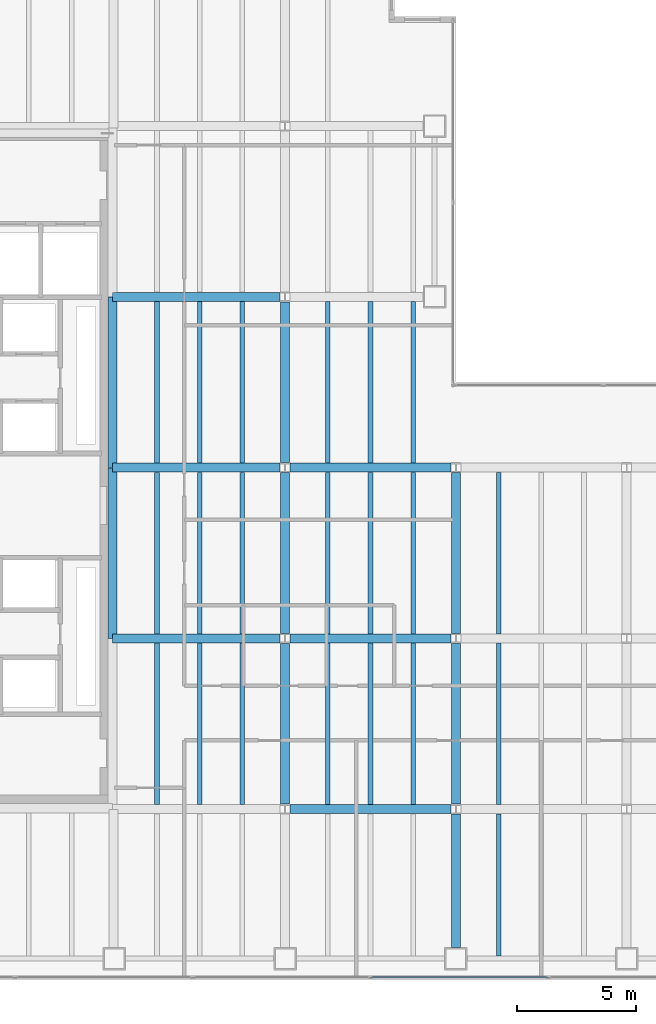
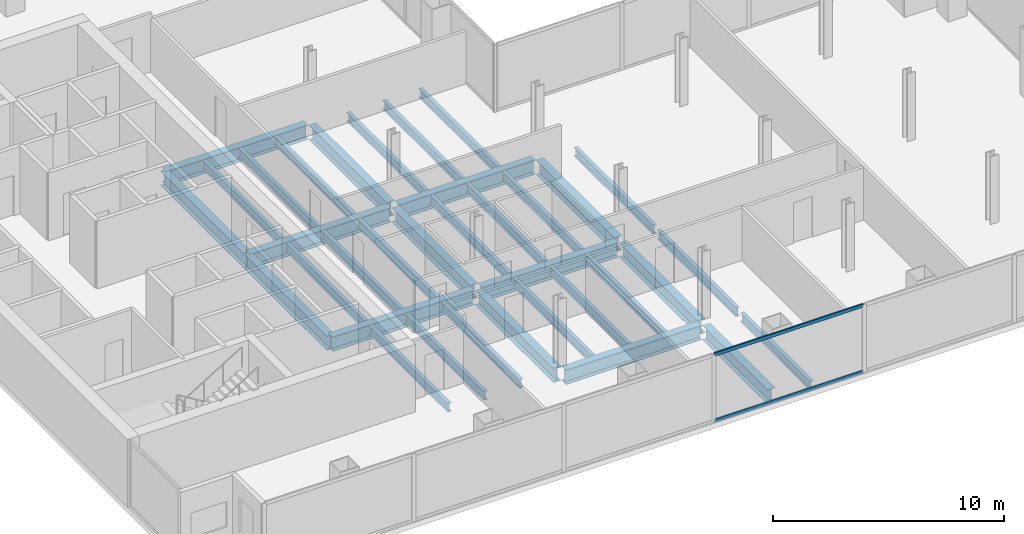
# One storey, part 5 of 23: 35 beams, 2 members, 1 element without a shape of its own.
"""IFC4 building model written with IfcOpenShell, lengths in metres."""

from ifc_helpers import new_model, si_unit, direction, frame, origin, origin_2d, place, context, subcontext, project, spatial, hollow_rectangle, i_section, extrude, material, material_profile, profile_set, type_object, element, aggregate, save


model = new_model("IFC4")

# Units and contexts
model_context = context("Model", 3, precision=1e-05, world=origin(), true_north=direction((0.0, 1.0)))
body_context = subcontext(model_context, "Body", "Model", "MODEL_VIEW")
ifc_project = project(units=[si_unit("LENGTHUNIT", "METRE"), si_unit("AREAUNIT", "SQUARE_METRE"), si_unit("VOLUMEUNIT", "CUBIC_METRE"), si_unit("PLANEANGLEUNIT", "RADIAN"), si_unit("MASSUNIT", "GRAM", prefix="KILO")], contexts=[model_context])

# Site, building, storey
site_placement = place(None, origin())
site = spatial("IfcSite", under=ifc_project, at=site_placement, CompositionType="ELEMENT")
building_placement = place(site_placement, origin())
building = spatial("IfcBuilding", under=site, at=building_placement, Name="Cobrela Telecom Tower", CompositionType="ELEMENT")
storey_placement = place(building_placement, frame((0.0, 0.0, 88.89990234375)))
storey = spatial("IfcBuildingStorey", under=building, at=storey_placement, Name="L22", CompositionType="ELEMENT", Elevation=88.89990234375)

# Beams
ifc_material_1 = material(Name="Steel ASTM A992 Grade 50", Category="steel")
ifc_material_profile_1 = material_profile(ifc_material_1, i_section(OverallWidth=0.381103515625, OverallDepth=0.77197265625, WebThickness=0.0166015625, FlangeThickness=0.027099609375, FilletRadius=0.01904296875, at=origin_2d()), Name="W30X173")
ifc_profile_set_1 = profile_set([ifc_material_profile_1], Name="Steel ASTM A992 Grade 50")
beam_type_1 = type_object("IfcBeamType", Name="BM-GIRD-04", PredefinedType="USERDEFINED", material=ifc_profile_set_1)
beam_1_placement = place(storey_placement, frame((21.8095703125, 7.199951171875, -0.666015625), z_axis=(1.0, 0.0, 0.0), x_axis=(0.0, 1.0, 0.0)))
element("IfcBeam", 1, at=beam_1_placement, inside=storey, type_object=beam_type_1, Name="L22 Primary Girder X09", ObjectType="GIRDER", PredefinedType="USERDEFINED", context=body_context, shape_type="SweptSolid", body=[
    extrude(i_section(OverallWidth=0.381103515625, OverallDepth=0.77197265625, WebThickness=0.0166015625, FlangeThickness=0.027099609375, FilletRadius=0.01904296875, at=origin_2d()), origin(), (0.0, 0.0, 1.0), 6.781005859375),
])
beam_2_placement = place(storey_placement, frame((14.324951171875, 14.39990234375, -0.666015625), z_axis=(1.0, 0.0, 0.0), x_axis=(0.0, 1.0, 0.0)))
element("IfcBeam", 2, at=beam_2_placement, inside=storey, type_object=beam_type_1, Name="L22 Primary Girder X13", ObjectType="GIRDER", PredefinedType="USERDEFINED", context=body_context, shape_type="SweptSolid", body=[
    extrude(i_section(OverallWidth=0.381103515625, OverallDepth=0.77197265625, WebThickness=0.0166015625, FlangeThickness=0.027099609375, FilletRadius=0.01904296875, at=origin_2d()), origin(), (0.0, 0.0, 1.0), 7.0654296875),
])
beam_3_placement = place(storey_placement, frame((21.8095703125, 14.39990234375, -0.666015625), z_axis=(1.0, 0.0, 0.0), x_axis=(0.0, 1.0, 0.0)))
element("IfcBeam", 3, at=beam_3_placement, inside=storey, type_object=beam_type_1, Name="L22 Primary Girder X14", ObjectType="GIRDER", PredefinedType="USERDEFINED", context=body_context, shape_type="SweptSolid", body=[
    extrude(i_section(OverallWidth=0.381103515625, OverallDepth=0.77197265625, WebThickness=0.0166015625, FlangeThickness=0.027099609375, FilletRadius=0.01904296875, at=origin_2d()), origin(), (0.0, 0.0, 1.0), 6.781005859375),
])
beam_4_placement = place(storey_placement, frame((14.324951171875, 21.60009765625, -0.666015625), z_axis=(1.0, 0.0, 0.0), x_axis=(0.0, 1.0, 0.0)))
element("IfcBeam", 4, at=beam_4_placement, inside=storey, type_object=beam_type_1, Name="L22 Primary Girder X18", ObjectType="GIRDER", PredefinedType="USERDEFINED", context=body_context, shape_type="SweptSolid", body=[
    extrude(i_section(OverallWidth=0.381103515625, OverallDepth=0.77197265625, WebThickness=0.0166015625, FlangeThickness=0.027099609375, FilletRadius=0.01904296875, at=origin_2d()), origin(), (0.0, 0.0, 1.0), 7.0654296875),
])
beam_5_placement = place(storey_placement, frame((21.8095703125, 21.60009765625, -0.666015625), z_axis=(1.0, 0.0, 0.0), x_axis=(0.0, 1.0, 0.0)))
element("IfcBeam", 5, at=beam_5_placement, inside=storey, type_object=beam_type_1, Name="L22 Primary Girder X19", ObjectType="GIRDER", PredefinedType="USERDEFINED", context=body_context, shape_type="SweptSolid", body=[
    extrude(i_section(OverallWidth=0.381103515625, OverallDepth=0.77197265625, WebThickness=0.0166015625, FlangeThickness=0.027099609375, FilletRadius=0.01904296875, at=origin_2d()), origin(), (0.0, 0.0, 1.0), 6.781005859375),
])
beam_6_placement = place(storey_placement, frame((14.324951171875, 28.800048828125, -0.666015625), z_axis=(1.0, 0.0, 0.0), x_axis=(0.0, 1.0, 0.0)))
element("IfcBeam", 6, at=beam_6_placement, inside=storey, type_object=beam_type_1, Name="L22 Primary Girder X23", ObjectType="GIRDER", PredefinedType="USERDEFINED", context=body_context, shape_type="SweptSolid", body=[
    extrude(i_section(OverallWidth=0.381103515625, OverallDepth=0.77197265625, WebThickness=0.0166015625, FlangeThickness=0.027099609375, FilletRadius=0.01904296875, at=origin_2d()), origin(), (0.0, 0.0, 1.0), 7.0654296875),
])
for number, where, z_axis, x_axis, name in (
    (7, (14.320068359375, 14.405029296875, -0.666015625), (0.0, 1.0, 0.0), (-1.0, 0.0, 0.0), "L22 Primary Girder Y36"),
    (8, (14.320068359375, 21.60498046875, -0.666015625), (0.0, 1.0, 0.0), (-1.0, 0.0, 0.0), "L22 Primary Girder Y37"),
):
    element("IfcBeam", number, at=place(storey_placement, frame(where, z_axis=z_axis, x_axis=x_axis)), inside=storey, type_object=beam_type_1, Name=name, ObjectType="GIRDER", PredefinedType="USERDEFINED", context=body_context, shape_type="SweptSolid", body=[
        extrude(i_section(OverallWidth=0.381103515625, OverallDepth=0.77197265625, WebThickness=0.0166015625, FlangeThickness=0.027099609375, FilletRadius=0.01904296875, at=origin_2d()), origin(), (0.0, 0.0, 1.0), 7.18994140625),
    ])
beam_7_placement = place(storey_placement, frame((21.60009765625, 7.409423828125, -0.666015625), z_axis=(0.0, 1.0, 0.0), x_axis=(-1.0, 0.0, 0.0)))
element("IfcBeam", 9, at=beam_7_placement, inside=storey, type_object=beam_type_1, Name="L22 Primary Girder Y41", ObjectType="GIRDER", PredefinedType="USERDEFINED", context=body_context, shape_type="SweptSolid", body=[
    extrude(i_section(OverallWidth=0.381103515625, OverallDepth=0.77197265625, WebThickness=0.0166015625, FlangeThickness=0.027099609375, FilletRadius=0.01904296875, at=origin_2d()), origin(), (0.0, 0.0, 1.0), 6.781005859375),
])
beam_8_placement = place(storey_placement, frame((21.60009765625, 14.609619140625, -0.666015625), z_axis=(0.0, 1.0, 0.0), x_axis=(-1.0, 0.0, 0.0)))
element("IfcBeam", 10, at=beam_8_placement, inside=storey, type_object=beam_type_1, Name="L22 Primary Girder Y42", ObjectType="GIRDER", PredefinedType="USERDEFINED", context=body_context, shape_type="SweptSolid", body=[
    extrude(i_section(OverallWidth=0.381103515625, OverallDepth=0.77197265625, WebThickness=0.0166015625, FlangeThickness=0.027099609375, FilletRadius=0.01904296875, at=origin_2d()), origin(), (0.0, 0.0, 1.0), 6.78076171875),
])
beam_9_placement = place(storey_placement, frame((21.60009765625, 21.8095703125, -0.666015625), z_axis=(0.0, 1.0, 0.0), x_axis=(-1.0, 0.0, 0.0)))
element("IfcBeam", 11, at=beam_9_placement, inside=storey, type_object=beam_type_1, Name="L22 Primary Girder Y43", ObjectType="GIRDER", PredefinedType="USERDEFINED", context=body_context, shape_type="SweptSolid", body=[
    extrude(i_section(OverallWidth=0.381103515625, OverallDepth=0.77197265625, WebThickness=0.0166015625, FlangeThickness=0.027099609375, FilletRadius=0.01904296875, at=origin_2d()), origin(), (0.0, 0.0, 1.0), 6.781005859375),
])
beam_10_placement = place(storey_placement, frame((28.800048828125, 1.3798828125, -0.666015625), z_axis=(0.0, 1.0, 0.0), x_axis=(-1.0, 0.0, 0.0)))
element("IfcBeam", 12, at=beam_10_placement, inside=storey, type_object=beam_type_1, Name="L22 Primary Girder Y47", ObjectType="GIRDER", PredefinedType="USERDEFINED", context=body_context, shape_type="SweptSolid", body=[
    extrude(i_section(OverallWidth=0.381103515625, OverallDepth=0.77197265625, WebThickness=0.0166015625, FlangeThickness=0.027099609375, FilletRadius=0.01904296875, at=origin_2d()), origin(), (0.0, 0.0, 1.0), 5.610595703125),
])
beam_11_placement = place(storey_placement, frame((28.800048828125, 7.409423828125, -0.666015625), z_axis=(0.0, 1.0, 0.0), x_axis=(-1.0, 0.0, 0.0)))
element("IfcBeam", 13, at=beam_11_placement, inside=storey, type_object=beam_type_1, Name="L22 Primary Girder Y48", ObjectType="GIRDER", PredefinedType="USERDEFINED", context=body_context, shape_type="SweptSolid", body=[
    extrude(i_section(OverallWidth=0.381103515625, OverallDepth=0.77197265625, WebThickness=0.0166015625, FlangeThickness=0.027099609375, FilletRadius=0.01904296875, at=origin_2d()), origin(), (0.0, 0.0, 1.0), 6.781005859375),
])
beam_12_placement = place(storey_placement, frame((28.800048828125, 14.609619140625, -0.666015625), z_axis=(0.0, 1.0, 0.0), x_axis=(-1.0, 0.0, 0.0)))
element("IfcBeam", 14, at=beam_12_placement, inside=storey, type_object=beam_type_1, Name="L22 Primary Girder Y49", ObjectType="GIRDER", PredefinedType="USERDEFINED", context=body_context, shape_type="SweptSolid", body=[
    extrude(i_section(OverallWidth=0.381103515625, OverallDepth=0.77197265625, WebThickness=0.0166015625, FlangeThickness=0.027099609375, FilletRadius=0.01904296875, at=origin_2d()), origin(), (0.0, 0.0, 1.0), 6.78076171875),
])
ifc_material_profile_2 = material_profile(ifc_material_1, i_section(OverallWidth=0.193115234375, OverallDepth=0.467041015625, WebThickness=0.011474609375, FlangeThickness=0.01904296875, FilletRadius=0.012939453125, at=origin_2d()), Name="W18X65")
ifc_profile_set_2 = profile_set([ifc_material_profile_2], Name="Steel ASTM A992 Grade 50")
beam_type_2 = type_object("IfcBeamType", Name="BM-JOIST-03", PredefinedType="JOIST", material=ifc_profile_set_2)
for number, where, z_axis, x_axis, name in (
    (15, (16.199951171875, 7.3955078125, -0.513427734375), (0.0, 1.0, 0.0), (-1.0, 0.0, 0.0), "L22 Secondary Composite Floor Beam J08"),
    (16, (16.199951171875, 14.595458984375, -0.513427734375), (0.0, 1.0, 0.0), (-1.0, 0.0, 0.0), "L22 Secondary Composite Floor Beam J09"),
    (17, (16.199951171875, 21.79541015625, -0.513427734375), (0.0, 1.0, 0.0), (-1.0, 0.0, 0.0), "L22 Secondary Composite Floor Beam J10"),
    (18, (18.0, 7.3955078125, -0.513427734375), (0.0, 1.0, 0.0), (-1.0, 0.0, 0.0), "L22 Secondary Composite Floor Beam J14"),
    (19, (18.0, 14.595458984375, -0.513427734375), (0.0, 1.0, 0.0), (-1.0, 0.0, 0.0), "L22 Secondary Composite Floor Beam J15"),
    (20, (18.0, 21.79541015625, -0.513427734375), (0.0, 1.0, 0.0), (-1.0, 0.0, 0.0), "L22 Secondary Composite Floor Beam J16"),
    (21, (19.800048828125, 7.3955078125, -0.513427734375), (0.0, 1.0, 0.0), (-1.0, 0.0, 0.0), "L22 Secondary Composite Floor Beam J20"),
    (22, (19.800048828125, 14.595458984375, -0.513427734375), (0.0, 1.0, 0.0), (-1.0, 0.0, 0.0), "L22 Secondary Composite Floor Beam J21"),
    (23, (19.800048828125, 21.79541015625, -0.513427734375), (0.0, 1.0, 0.0), (-1.0, 0.0, 0.0), "L22 Secondary Composite Floor Beam J22"),
    (24, (23.39990234375, 7.3955078125, -0.513427734375), (0.0, 1.0, 0.0), (-1.0, 0.0, 0.0), "L22 Secondary Composite Floor Beam J26"),
    (25, (23.39990234375, 14.595458984375, -0.513427734375), (0.0, 1.0, 0.0), (-1.0, 0.0, 0.0), "L22 Secondary Composite Floor Beam J27"),
    (26, (23.39990234375, 21.79541015625, -0.513427734375), (0.0, 1.0, 0.0), (-1.0, 0.0, 0.0), "L22 Secondary Composite Floor Beam J28"),
    (27, (25.199951171875, 7.3955078125, -0.513427734375), (0.0, 1.0, 0.0), (-1.0, 0.0, 0.0), "L22 Secondary Composite Floor Beam J32"),
    (28, (25.199951171875, 14.595458984375, -0.513427734375), (0.0, 1.0, 0.0), (-1.0, 0.0, 0.0), "L22 Secondary Composite Floor Beam J33"),
    (29, (25.199951171875, 21.79541015625, -0.513427734375), (0.0, 1.0, 0.0), (-1.0, 0.0, 0.0), "L22 Secondary Composite Floor Beam J34"),
    (30, (27.0, 7.3955078125, -0.513427734375), (0.0, 1.0, 0.0), (-1.0, 0.0, 0.0), "L22 Secondary Composite Floor Beam J37"),
    (31, (27.0, 14.595458984375, -0.513427734375), (0.0, 1.0, 0.0), (-1.0, 0.0, 0.0), "L22 Secondary Composite Floor Beam J38"),
    (32, (27.0, 21.79541015625, -0.513427734375), (0.0, 1.0, 0.0), (-1.0, 0.0, 0.0), "L22 Secondary Composite Floor Beam J39"),
):
    element("IfcBeam", number, at=place(storey_placement, frame(where, z_axis=z_axis, x_axis=x_axis)), inside=storey, type_object=beam_type_2, Name=name, PredefinedType="JOIST", context=body_context, shape_type="SweptSolid", body=[
        extrude(i_section(OverallWidth=0.193115234375, OverallDepth=0.467041015625, WebThickness=0.011474609375, FlangeThickness=0.01904296875, FilletRadius=0.012939453125, at=origin_2d()), origin(), (0.0, 0.0, 1.0), 6.80908203125),
    ])
beam_13_placement = place(storey_placement, frame((30.60009765625, 1.011474609375, -0.513427734375), z_axis=(0.0, 1.0, 0.0), x_axis=(-1.0, 0.0, 0.0)))
element("IfcBeam", 33, at=beam_13_placement, inside=storey, type_object=beam_type_2, Name="L22 Secondary Composite Floor Beam J41", PredefinedType="JOIST", context=body_context, shape_type="SweptSolid", body=[
    extrude(i_section(OverallWidth=0.193115234375, OverallDepth=0.467041015625, WebThickness=0.011474609375, FlangeThickness=0.01904296875, FilletRadius=0.012939453125, at=origin_2d()), origin(), (0.0, 0.0, 1.0), 5.992919921875),
])
for number, where, z_axis, x_axis, name in (
    (34, (30.60009765625, 7.3955078125, -0.513427734375), (0.0, 1.0, 0.0), (-1.0, 0.0, 0.0), "L22 Secondary Composite Floor Beam J42"),
    (35, (30.60009765625, 14.595458984375, -0.513427734375), (0.0, 1.0, 0.0), (-1.0, 0.0, 0.0), "L22 Secondary Composite Floor Beam J43"),
):
    element("IfcBeam", number, at=place(storey_placement, frame(where, z_axis=z_axis, x_axis=x_axis)), inside=storey, type_object=beam_type_2, Name=name, PredefinedType="JOIST", context=body_context, shape_type="SweptSolid", body=[
        extrude(i_section(OverallWidth=0.193115234375, OverallDepth=0.467041015625, WebThickness=0.011474609375, FlangeThickness=0.01904296875, FilletRadius=0.012939453125, at=origin_2d()), origin(), (0.0, 0.0, 1.0), 6.80908203125),
    ])

# Curtain wall, members
ifc_material_2 = material(Name="Anodized Bronze Aluminium 6063-T6", Category="aluminium")
curtain_wall_type = type_object("IfcCurtainWallType", Name="CW-SYS-DATA", PredefinedType="USERDEFINED", material=ifc_material_2)
curtain_wall_placement = place(storey_placement, origin())
curtain_wall = element("IfcCurtainWall", 36, at=curtain_wall_placement, inside=storey, type_object=curtain_wall_type, Name="L22 Unitised Bronze Curtain Wall 17", ObjectType="UNITISED CURTAIN WALL", PredefinedType="USERDEFINED")
ifc_material_profile_3 = material_profile(ifc_material_2, hollow_rectangle(XDim=0.074951171875, YDim=0.179931640625, WallThickness=0.00390625, at=origin_2d()), Name="ALU 75x180x4")
ifc_profile_set_3 = profile_set([ifc_material_profile_3], Name="Anodized Bronze Aluminium 6063-T6")
member_type = type_object("IfcMemberType", Name="CW-SYS-DATA-TRN", PredefinedType="USERDEFINED", material=ifc_profile_set_3)
member_1_placement = place(storey_placement, frame((32.65673828125, 0.1201171875, 0.03759765625), z_axis=(-1.0, 0.0, 0.0), x_axis=(0.0, -1.0, 0.0)))
member_1 = element("IfcMember", 37, at=member_1_placement, type_object=member_type, Name="CW-DATA transom 3.1", ObjectType="TRANSOM", PredefinedType="USERDEFINED", context=body_context, shape_type="SweptSolid", body=[
    extrude(hollow_rectangle(XDim=0.074951171875, YDim=0.179931640625, WallThickness=0.00390625, at=origin_2d()), origin(), (0.0, 0.0, 1.0), 7.416748046875),
])
member_2_placement = place(storey_placement, frame((32.65673828125, 0.1201171875, 3.53271484375), z_axis=(-1.0, 0.0, 0.0), x_axis=(0.0, -1.0, 0.0)))
member_2 = element("IfcMember", 38, at=member_2_placement, type_object=member_type, Name="CW-DATA transom 3.2", ObjectType="TRANSOM", PredefinedType="USERDEFINED", context=body_context, shape_type="SweptSolid", body=[
    extrude(hollow_rectangle(XDim=0.074951171875, YDim=0.179931640625, WallThickness=0.00390625, at=origin_2d()), origin(), (0.0, 0.0, 1.0), 7.416748046875),
])
aggregate(curtain_wall, [member_1, member_2])

save(model, "model.ifc")
